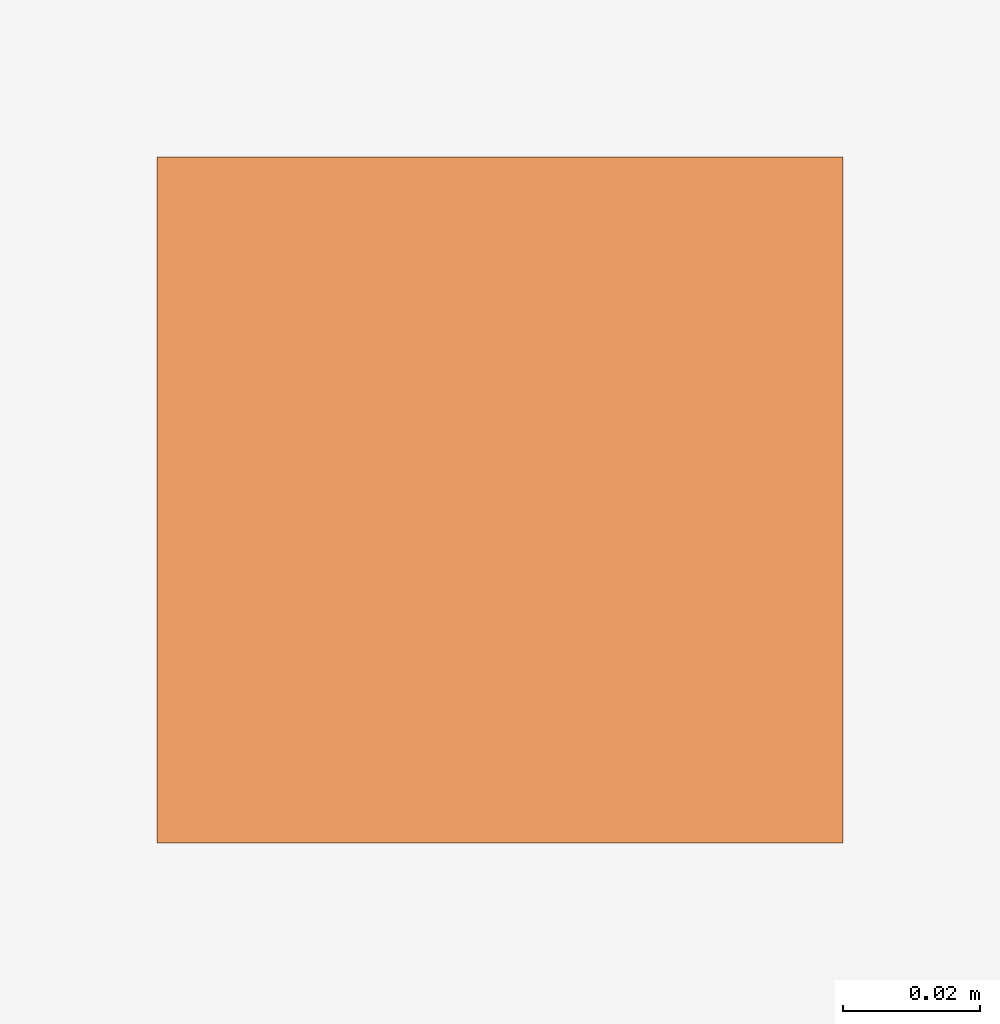
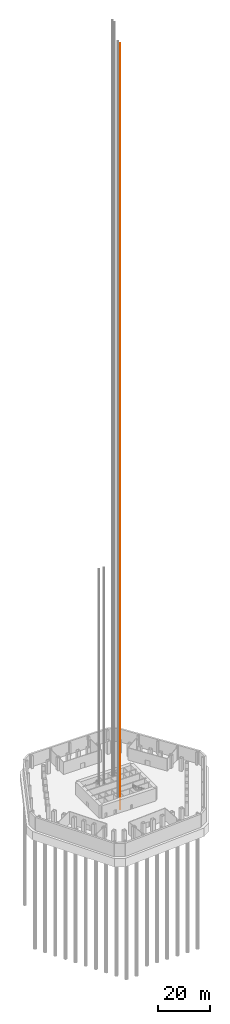
# One storey, part 7 of 12: 1 proxy.
"""IFC4 building model written with IfcOpenShell, lengths in metres."""

from ifc_helpers import new_model, si_unit, direction, frame, origin, origin_2d, place, context, subcontext, project, spatial, rectangle, extrude, material, type_object, element, save


model = new_model("IFC4")

# Units and contexts
model_context = context("Model", 3, precision=1e-05, world=origin(), true_north=direction((0.0, 1.0)))
body_context = subcontext(model_context, "Body", "Model", "MODEL_VIEW")
ifc_project = project(units=[si_unit("LENGTHUNIT", "METRE"), si_unit("AREAUNIT", "SQUARE_METRE"), si_unit("VOLUMEUNIT", "CUBIC_METRE"), si_unit("PLANEANGLEUNIT", "RADIAN"), si_unit("MASSUNIT", "GRAM", prefix="KILO")], contexts=[model_context])

# Site, building, storey
site_placement = place(None, origin())
site = spatial("IfcSite", under=ifc_project, at=site_placement, CompositionType="ELEMENT")
building_placement = place(site_placement, origin())
building = spatial("IfcBuilding", under=site, at=building_placement, Name="Qingtian Harvest Tower", CompositionType="ELEMENT")
storey_placement = place(building_placement, frame((0.0, 0.0, -12.0)))
storey = spatial("IfcBuildingStorey", under=building, at=storey_placement, Name="B2", CompositionType="ELEMENT", Elevation=-12.0)

# Proxy
ifc_material = material(Name="Steel SN490B", Category="steel")
building_element_proxy_type = type_object("IfcBuildingElementProxyType", Name="Lift guide rail LR1", PredefinedType="NOTDEFINED", material=ifc_material)
proxy_placement = place(storey_placement, frame((-2.60009765625, -7.550048828125, 0.0), z_axis=(0.0, 0.0, 1.0), x_axis=(1.0, 0.0, 0.0)))
element("IfcBuildingElementProxy", 1, at=proxy_placement, inside=storey, type_object=building_element_proxy_type, Name="Lift FL2 guide rail 1", PredefinedType="NOTDEFINED", context=body_context, shape_type="SweptSolid", body=[
    extrude(rectangle(XDim=0.10009765625, YDim=0.10009765625, at=origin_2d()), origin(), (0.0, 0.0, 1.0), 358.0),
])

save(model, "model.ifc")
